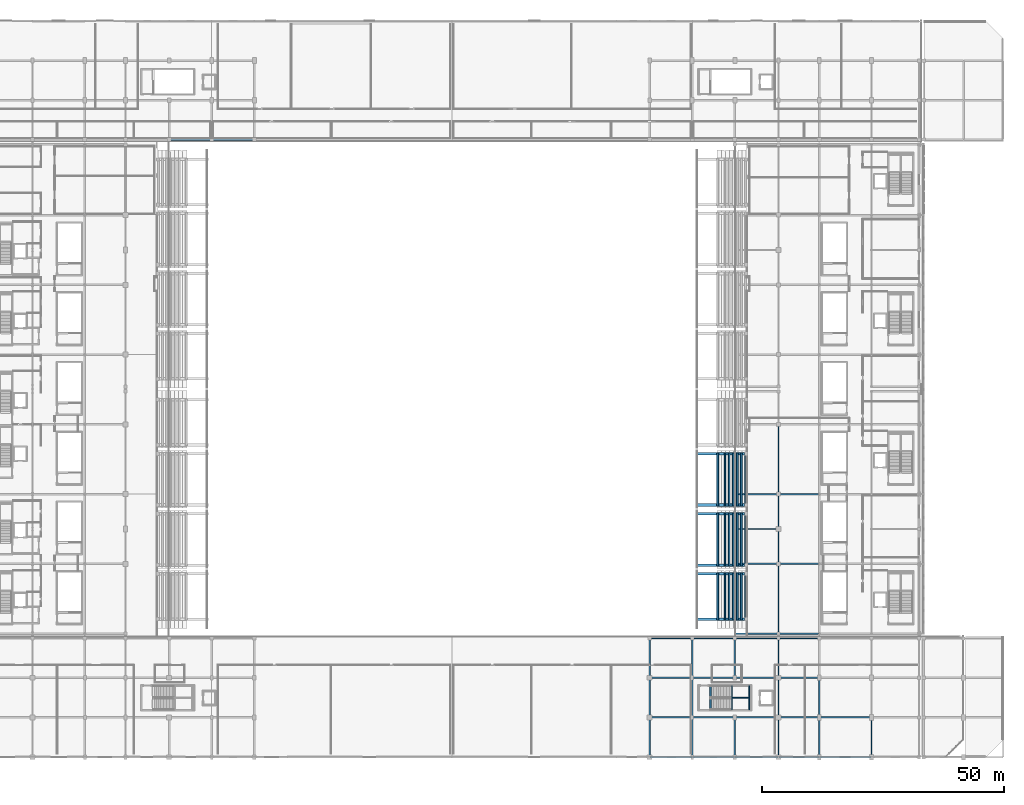
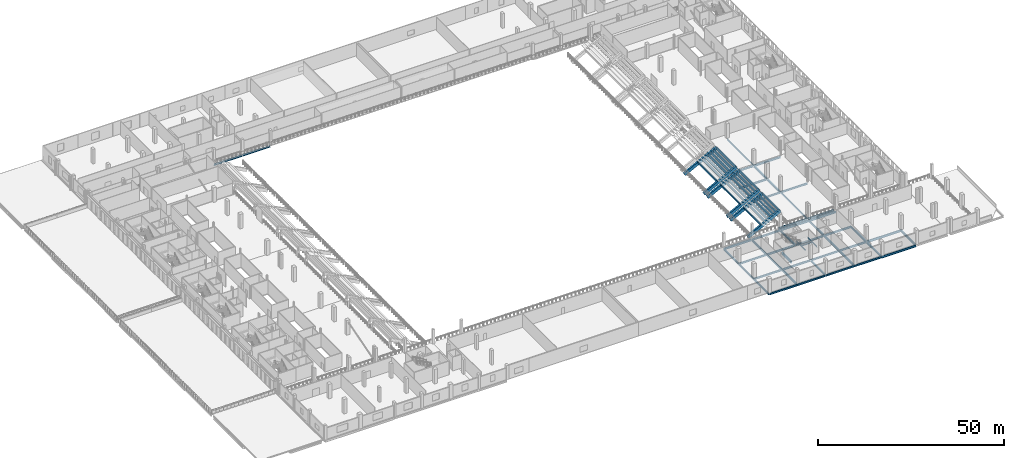
# One storey, part 17 of 74: 76 beams.
"""IFC4 building model written with IfcOpenShell, lengths in metres."""

from ifc_helpers import new_model, si_unit, direction, frame, origin, origin_2d, place, context, subcontext, project, spatial, rectangle, hollow_rectangle, i_section, extrude, material, material_profile, profile_set, type_object, element, save


model = new_model("IFC4")

# Units and contexts
model_context = context("Model", 3, precision=1e-05, world=origin(), true_north=direction((0.0, 1.0)))
body_context = subcontext(model_context, "Body", "Model", "MODEL_VIEW")
ifc_project = project(units=[si_unit("LENGTHUNIT", "METRE"), si_unit("AREAUNIT", "SQUARE_METRE"), si_unit("VOLUMEUNIT", "CUBIC_METRE"), si_unit("PLANEANGLEUNIT", "RADIAN"), si_unit("MASSUNIT", "GRAM", prefix="KILO")], contexts=[model_context])

# Site, building, storey
site_placement = place(None, origin())
site = spatial("IfcSite", under=ifc_project, at=site_placement, CompositionType="ELEMENT")
building_placement = place(site_placement, origin())
building = spatial("IfcBuilding", under=site, at=building_placement, Name="Koshinbarg Plaza Stadium", CompositionType="ELEMENT")
storey_placement = place(building_placement, frame((0.0, 0.0, 15.0)))
storey = spatial("IfcBuildingStorey", under=building, at=storey_placement, Name="L03", CompositionType="ELEMENT", Elevation=15.0)

# Beams
ifc_material_1 = material(Name="Concrete C40/50", Category="concrete")
ifc_material_profile_1 = material_profile(ifc_material_1, rectangle(XDim=0.550048828125, YDim=1.0, at=origin_2d()), Name="RC 550x1000")
ifc_profile_set_1 = profile_set([ifc_material_profile_1], Name="Concrete C40/50")
beam_type_1 = type_object("IfcBeamType", Name="BM-RAKER-UT", PredefinedType="USERDEFINED", material=ifc_profile_set_1)
for number, where, z_axis, x_axis, name in (
    (1, (172.5400390625, 28.5, -2.54296875), (0.888953125137, 0.0, 0.457998189198), (0.0, 1.0, 0.0), "Upper cantilevered bowl raker girder RAKER UT-E01-L"),
    (2, (172.5400390625, 37.85009765625, -2.54296875), (0.888953125137, 0.0, 0.457998189198), (0.0, 1.0, 0.0), "Upper cantilevered bowl raker girder RAKER UT-E01-R"),
    (3, (172.5400390625, 39.64990234375, -2.54296875), (0.888953125137, 0.0, 0.457998189198), (0.0, 1.0, 0.0), "Upper cantilevered bowl raker girder RAKER UT-E02-L"),
    (4, (172.5400390625, 50.25, -2.54296875), (0.888953125137, 0.0, 0.457998189198), (0.0, 1.0, 0.0), "Upper cantilevered bowl raker girder RAKER UT-E02-R"),
    (5, (172.5400390625, 52.050048828125, -2.54296875), (0.888953125137, 0.0, 0.457998189198), (0.0, 1.0, 0.0), "Upper cantilevered bowl raker girder RAKER UT-E03-L"),
    (6, (172.5400390625, 62.64990234375, -2.54296875), (0.888953125137, 0.0, 0.457998189198), (0.0, 1.0, 0.0), "Upper cantilevered bowl raker girder RAKER UT-E03-R"),
):
    element("IfcBeam", number, at=place(storey_placement, frame(where, z_axis=z_axis, x_axis=x_axis)), inside=storey, type_object=beam_type_1, Name=name, ObjectType="GIRDER", PredefinedType="USERDEFINED", context=body_context, shape_type="SweptSolid", body=[
        extrude(rectangle(XDim=0.550048828125, YDim=1.0, at=origin_2d()), origin(), (0.0, 0.0, 1.0), 11.384033203125),
    ])
ifc_material_profile_2 = material_profile(ifc_material_1, rectangle(XDim=0.35009765625, YDim=0.60009765625, at=origin_2d()), Name="RC 350x600")
ifc_profile_set_2 = profile_set([ifc_material_profile_2], Name="Concrete C40/50")
beam_type_2 = type_object("IfcBeamType", Name="BM-RCG-01", PredefinedType="SPANDREL", material=ifc_profile_set_2)
for number, where, z_axis, x_axis, name in (
    (7, (176.8701171875, 28.35009765625, -0.080078125), (0.0, 1.0, 0.0), (-1.0, 0.0, 0.0), "Upper tier seat bearer UT-E01-R06"),
    (8, (178.330078125, 28.35009765625, 0.360107421875), (0.0, 1.0, 0.0), (-1.0, 0.0, 0.0), "Upper tier seat bearer UT-E01-R07"),
    (9, (179.179931640625, 28.35009765625, 0.800048828125), (0.0, 1.0, 0.0), (-1.0, 0.0, 0.0), "Upper tier seat bearer UT-E01-R08"),
    (10, (180.030029296875, 28.35009765625, 1.239990234375), (0.0, 1.0, 0.0), (-1.0, 0.0, 0.0), "Upper tier seat bearer UT-E01-R09"),
    (11, (180.8798828125, 28.35009765625, 1.679931640625), (0.0, 1.0, 0.0), (-1.0, 0.0, 0.0), "Upper tier seat bearer UT-E01-R10"),
    (12, (181.72998046875, 28.35009765625, 2.1201171875), (0.0, 1.0, 0.0), (-1.0, 0.0, 0.0), "Upper tier seat bearer UT-E01-R11"),
    (13, (182.580078125, 28.35009765625, 2.56005859375), (0.0, 1.0, 0.0), (-1.0, 0.0, 0.0), "Upper tier seat bearer UT-E01-R12"),
):
    element("IfcBeam", number, at=place(storey_placement, frame(where, z_axis=z_axis, x_axis=x_axis)), inside=storey, type_object=beam_type_2, Name=name, PredefinedType="SPANDREL", context=body_context, shape_type="SweptSolid", body=[
        extrude(rectangle(XDim=0.35009765625, YDim=0.60009765625, at=origin_2d()), origin(), (0.0, 0.0, 1.0), 9.64990234375),
    ])
for number, where, z_axis, x_axis, name in (
    (14, (176.8701171875, 39.5, -0.080078125), (0.0, 1.0, 0.0), (-1.0, 0.0, 0.0), "Upper tier seat bearer UT-E02-R06"),
    (15, (178.330078125, 39.5, 0.360107421875), (0.0, 1.0, 0.0), (-1.0, 0.0, 0.0), "Upper tier seat bearer UT-E02-R07"),
    (16, (179.179931640625, 39.5, 0.800048828125), (0.0, 1.0, 0.0), (-1.0, 0.0, 0.0), "Upper tier seat bearer UT-E02-R08"),
    (17, (180.030029296875, 39.5, 1.239990234375), (0.0, 1.0, 0.0), (-1.0, 0.0, 0.0), "Upper tier seat bearer UT-E02-R09"),
    (18, (180.8798828125, 39.5, 1.679931640625), (0.0, 1.0, 0.0), (-1.0, 0.0, 0.0), "Upper tier seat bearer UT-E02-R10"),
    (19, (181.72998046875, 39.5, 2.1201171875), (0.0, 1.0, 0.0), (-1.0, 0.0, 0.0), "Upper tier seat bearer UT-E02-R11"),
    (20, (182.580078125, 39.5, 2.56005859375), (0.0, 1.0, 0.0), (-1.0, 0.0, 0.0), "Upper tier seat bearer UT-E02-R12"),
):
    element("IfcBeam", number, at=place(storey_placement, frame(where, z_axis=z_axis, x_axis=x_axis)), inside=storey, type_object=beam_type_2, Name=name, PredefinedType="SPANDREL", context=body_context, shape_type="SweptSolid", body=[
        extrude(rectangle(XDim=0.35009765625, YDim=0.60009765625, at=origin_2d()), origin(), (0.0, 0.0, 1.0), 10.89990234375),
    ])
for number, where, z_axis, x_axis, name in (
    (21, (176.8701171875, 51.89990234375, -0.080078125), (0.0, 1.0, 0.0), (-1.0, 0.0, 0.0), "Upper tier seat bearer UT-E03-R06"),
    (22, (178.330078125, 51.89990234375, 0.360107421875), (0.0, 1.0, 0.0), (-1.0, 0.0, 0.0), "Upper tier seat bearer UT-E03-R07"),
    (23, (179.179931640625, 51.89990234375, 0.800048828125), (0.0, 1.0, 0.0), (-1.0, 0.0, 0.0), "Upper tier seat bearer UT-E03-R08"),
    (24, (180.030029296875, 51.89990234375, 1.239990234375), (0.0, 1.0, 0.0), (-1.0, 0.0, 0.0), "Upper tier seat bearer UT-E03-R09"),
    (25, (180.8798828125, 51.89990234375, 1.679931640625), (0.0, 1.0, 0.0), (-1.0, 0.0, 0.0), "Upper tier seat bearer UT-E03-R10"),
    (26, (181.72998046875, 51.89990234375, 2.1201171875), (0.0, 1.0, 0.0), (-1.0, 0.0, 0.0), "Upper tier seat bearer UT-E03-R11"),
    (27, (182.580078125, 51.89990234375, 2.56005859375), (0.0, 1.0, 0.0), (-1.0, 0.0, 0.0), "Upper tier seat bearer UT-E03-R12"),
):
    element("IfcBeam", number, at=place(storey_placement, frame(where, z_axis=z_axis, x_axis=x_axis)), inside=storey, type_object=beam_type_2, Name=name, PredefinedType="SPANDREL", context=body_context, shape_type="SweptSolid", body=[
        extrude(rectangle(XDim=0.35009765625, YDim=0.60009765625, at=origin_2d()), origin(), (0.0, 0.0, 1.0), 10.900146484375),
    ])
ifc_material_profile_3 = material_profile(ifc_material_1, rectangle(XDim=0.39990234375, YDim=0.75, at=origin_2d()), Name="RC 400x750")
ifc_profile_set_3 = profile_set([ifc_material_profile_3], Name="Concrete C40/50")
beam_type_3 = type_object("IfcBeamType", Name="BM-RCG-03", PredefinedType="USERDEFINED", material=ifc_profile_set_3)
beam_1_placement = place(storey_placement, frame((175.360107421875, 9.75, -0.375), z_axis=(0.0, 1.0, 0.0), x_axis=(-1.0, 0.0, 0.0)))
element("IfcBeam", 28, at=beam_1_placement, inside=storey, type_object=beam_type_3, Name="L03 stair landing header beam C14", ObjectType="GIRDER", PredefinedType="USERDEFINED", context=body_context, shape_type="SweptSolid", body=[
    extrude(rectangle(XDim=0.39990234375, YDim=0.75, at=origin_2d()), origin(), (0.0, 0.0, 1.0), 4.969970703125),
])
ifc_material_2 = material(Name="Steel S355", Category="steel")
ifc_material_profile_4 = material_profile(ifc_material_2, i_section(OverallWidth=0.179931640625, OverallDepth=0.39990234375, WebThickness=0.008544921875, FlangeThickness=0.013427734375, at=origin_2d()), Name="IPE 400")
ifc_profile_set_4 = profile_set([ifc_material_profile_4], Name="Steel S355")
beam_type_4 = type_object("IfcBeamType", Name="BM-SBM-01", PredefinedType="BEAM", material=ifc_profile_set_4)
for number, where, z_axis, x_axis, name in (
    (29, (179.81005859375, 9.75, 1.8798828125), (0.0, 1.0, 0.0), (-1.0, 0.0, 0.0), "L03 Protected Exit Stair C14 landing trimmer beam 1"),
    (30, (183.35009765625, 9.75, 1.8798828125), (0.0, 1.0, 0.0), (-1.0, 0.0, 0.0), "L03 Protected Exit Stair C14 landing trimmer beam 2"),
):
    element("IfcBeam", number, at=place(storey_placement, frame(where, z_axis=z_axis, x_axis=x_axis)), inside=storey, type_object=beam_type_4, Name=name, PredefinedType="BEAM", context=body_context, shape_type="SweptSolid", body=[
        extrude(i_section(OverallWidth=0.179931640625, OverallDepth=0.39990234375, WebThickness=0.008544921875, FlangeThickness=0.013427734375, at=origin_2d()), origin(), (0.0, 0.0, 1.0), 4.969970703125),
    ])
beam_2_placement = place(storey_placement, frame((179.81005859375, 12.235107421875, 1.8798828125), z_axis=(1.0, 0.0, 0.0), x_axis=(0.0, 1.0, 0.0)))
element("IfcBeam", 31, at=beam_2_placement, inside=storey, type_object=beam_type_4, Name="L03 Protected Exit Stair C14 landing trimmer beam 3", PredefinedType="BEAM", context=body_context, shape_type="SweptSolid", body=[
    extrude(i_section(OverallWidth=0.179931640625, OverallDepth=0.39990234375, WebThickness=0.008544921875, FlangeThickness=0.013427734375, at=origin_2d()), origin(), (0.0, 0.0, 1.0), 3.5400390625),
])
ifc_material_profile_5 = material_profile(ifc_material_2, i_section(OverallWidth=0.300048828125, OverallDepth=0.60009765625, WebThickness=0.015380859375, FlangeThickness=0.030029296875, at=origin_2d()), Name="HEB 600")
ifc_profile_set_5 = profile_set([ifc_material_profile_5], Name="Steel S355")
beam_type_5 = type_object("IfcBeamType", Name="BM-SGIR-02", PredefinedType="USERDEFINED", material=ifc_profile_set_5)
beam_3_placement = place(storey_placement, frame((162.860107421875, 0.0, -0.6201171875), z_axis=(1.0, 0.0, 0.0), x_axis=(0.0, 1.0, 0.0)))
element("IfcBeam", 32, at=beam_3_placement, inside=storey, type_object=beam_type_5, Name="L03 X girder A/15-16", ObjectType="GIRDER", PredefinedType="USERDEFINED", context=body_context, shape_type="SweptSolid", body=[
    extrude(i_section(OverallWidth=0.300048828125, OverallDepth=0.60009765625, WebThickness=0.015380859375, FlangeThickness=0.030029296875, at=origin_2d()), origin(), (0.0, 0.0, 1.0), 8.679931640625),
])
beam_4_placement = place(storey_placement, frame((171.659912109375, 0.0, -0.6201171875), z_axis=(1.0, 0.0, 0.0), x_axis=(0.0, 1.0, 0.0)))
element("IfcBeam", 33, at=beam_4_placement, inside=storey, type_object=beam_type_5, Name="L03 X girder A/16-17", ObjectType="GIRDER", PredefinedType="USERDEFINED", context=body_context, shape_type="SweptSolid", body=[
    extrude(i_section(OverallWidth=0.300048828125, OverallDepth=0.60009765625, WebThickness=0.015380859375, FlangeThickness=0.030029296875, at=origin_2d()), origin(), (0.0, 0.0, 1.0), 8.68017578125),
])
beam_5_placement = place(storey_placement, frame((180.4599609375, 0.0, -0.6201171875), z_axis=(1.0, 0.0, 0.0), x_axis=(0.0, 1.0, 0.0)))
element("IfcBeam", 34, at=beam_5_placement, inside=storey, type_object=beam_type_5, Name="L03 X girder A/17-18", ObjectType="GIRDER", PredefinedType="USERDEFINED", context=body_context, shape_type="SweptSolid", body=[
    extrude(i_section(OverallWidth=0.300048828125, OverallDepth=0.60009765625, WebThickness=0.015380859375, FlangeThickness=0.030029296875, at=origin_2d()), origin(), (0.0, 0.0, 1.0), 8.880126953125),
])
beam_6_placement = place(storey_placement, frame((189.4599609375, 0.0, -0.6201171875), z_axis=(1.0, 0.0, 0.0), x_axis=(0.0, 1.0, 0.0)))
element("IfcBeam", 35, at=beam_6_placement, inside=storey, type_object=beam_type_5, Name="L03 X girder A/18-19", ObjectType="GIRDER", PredefinedType="USERDEFINED", context=body_context, shape_type="SweptSolid", body=[
    extrude(i_section(OverallWidth=0.300048828125, OverallDepth=0.60009765625, WebThickness=0.015380859375, FlangeThickness=0.030029296875, at=origin_2d()), origin(), (0.0, 0.0, 1.0), 8.280029296875),
])
beam_7_placement = place(storey_placement, frame((162.860107421875, 8.199951171875, -0.6201171875), z_axis=(1.0, 0.0, 0.0), x_axis=(0.0, 1.0, 0.0)))
element("IfcBeam", 36, at=beam_7_placement, inside=storey, type_object=beam_type_5, Name="L03 X girder B/15-16", ObjectType="GIRDER", PredefinedType="USERDEFINED", context=body_context, shape_type="SweptSolid", body=[
    extrude(i_section(OverallWidth=0.300048828125, OverallDepth=0.60009765625, WebThickness=0.015380859375, FlangeThickness=0.030029296875, at=origin_2d()), origin(), (0.0, 0.0, 1.0), 8.679931640625),
])
beam_8_placement = place(storey_placement, frame((171.659912109375, 8.199951171875, -0.6201171875), z_axis=(1.0, 0.0, 0.0), x_axis=(0.0, 1.0, 0.0)))
element("IfcBeam", 37, at=beam_8_placement, inside=storey, type_object=beam_type_5, Name="L03 X girder B/16-17", ObjectType="GIRDER", PredefinedType="USERDEFINED", context=body_context, shape_type="SweptSolid", body=[
    extrude(i_section(OverallWidth=0.300048828125, OverallDepth=0.60009765625, WebThickness=0.015380859375, FlangeThickness=0.030029296875, at=origin_2d()), origin(), (0.0, 0.0, 1.0), 8.68017578125),
])
beam_9_placement = place(storey_placement, frame((180.4599609375, 8.199951171875, -0.6201171875), z_axis=(1.0, 0.0, 0.0), x_axis=(0.0, 1.0, 0.0)))
element("IfcBeam", 38, at=beam_9_placement, inside=storey, type_object=beam_type_5, Name="L03 X girder B/17-18", ObjectType="GIRDER", PredefinedType="USERDEFINED", context=body_context, shape_type="SweptSolid", body=[
    extrude(i_section(OverallWidth=0.300048828125, OverallDepth=0.60009765625, WebThickness=0.015380859375, FlangeThickness=0.030029296875, at=origin_2d()), origin(), (0.0, 0.0, 1.0), 8.880126953125),
])
beam_10_placement = place(storey_placement, frame((189.4599609375, 8.199951171875, -0.6201171875), z_axis=(1.0, 0.0, 0.0), x_axis=(0.0, 1.0, 0.0)))
element("IfcBeam", 39, at=beam_10_placement, inside=storey, type_object=beam_type_5, Name="L03 X girder B/18-19", ObjectType="GIRDER", PredefinedType="USERDEFINED", context=body_context, shape_type="SweptSolid", body=[
    extrude(i_section(OverallWidth=0.300048828125, OverallDepth=0.60009765625, WebThickness=0.015380859375, FlangeThickness=0.030029296875, at=origin_2d()), origin(), (0.0, 0.0, 1.0), 8.280029296875),
])
beam_11_placement = place(storey_placement, frame((162.860107421875, 16.39990234375, -0.6201171875), z_axis=(1.0, 0.0, 0.0), x_axis=(0.0, 1.0, 0.0)))
element("IfcBeam", 40, at=beam_11_placement, inside=storey, type_object=beam_type_5, Name="L03 X girder C/15-16", ObjectType="GIRDER", PredefinedType="USERDEFINED", context=body_context, shape_type="SweptSolid", body=[
    extrude(i_section(OverallWidth=0.300048828125, OverallDepth=0.60009765625, WebThickness=0.015380859375, FlangeThickness=0.030029296875, at=origin_2d()), origin(), (0.0, 0.0, 1.0), 8.679931640625),
])
beam_12_placement = place(storey_placement, frame((171.659912109375, 16.39990234375, -0.6201171875), z_axis=(1.0, 0.0, 0.0), x_axis=(0.0, 1.0, 0.0)))
element("IfcBeam", 41, at=beam_12_placement, inside=storey, type_object=beam_type_5, Name="L03 X girder C/16-17", ObjectType="GIRDER", PredefinedType="USERDEFINED", context=body_context, shape_type="SweptSolid", body=[
    extrude(i_section(OverallWidth=0.300048828125, OverallDepth=0.60009765625, WebThickness=0.015380859375, FlangeThickness=0.030029296875, at=origin_2d()), origin(), (0.0, 0.0, 1.0), 8.68017578125),
])
beam_13_placement = place(storey_placement, frame((180.4599609375, 16.39990234375, -0.6201171875), z_axis=(1.0, 0.0, 0.0), x_axis=(0.0, 1.0, 0.0)))
element("IfcBeam", 42, at=beam_13_placement, inside=storey, type_object=beam_type_5, Name="L03 X girder C/17-18", ObjectType="GIRDER", PredefinedType="USERDEFINED", context=body_context, shape_type="SweptSolid", body=[
    extrude(i_section(OverallWidth=0.300048828125, OverallDepth=0.60009765625, WebThickness=0.015380859375, FlangeThickness=0.030029296875, at=origin_2d()), origin(), (0.0, 0.0, 1.0), 8.880126953125),
])
beam_14_placement = place(storey_placement, frame((189.4599609375, 16.39990234375, -0.6201171875), z_axis=(1.0, 0.0, 0.0), x_axis=(0.0, 1.0, 0.0)))
element("IfcBeam", 43, at=beam_14_placement, inside=storey, type_object=beam_type_5, Name="L03 X girder C/18-19", ObjectType="GIRDER", PredefinedType="USERDEFINED", context=body_context, shape_type="SweptSolid", body=[
    extrude(i_section(OverallWidth=0.300048828125, OverallDepth=0.60009765625, WebThickness=0.015380859375, FlangeThickness=0.030029296875, at=origin_2d()), origin(), (0.0, 0.0, 1.0), 8.280029296875),
])
beam_15_placement = place(storey_placement, frame((162.860107421875, 24.5, -0.6201171875), z_axis=(1.0, 0.0, 0.0), x_axis=(0.0, 1.0, 0.0)))
element("IfcBeam", 44, at=beam_15_placement, inside=storey, type_object=beam_type_5, Name="L03 X girder D/15-16", ObjectType="GIRDER", PredefinedType="USERDEFINED", context=body_context, shape_type="SweptSolid", body=[
    extrude(i_section(OverallWidth=0.300048828125, OverallDepth=0.60009765625, WebThickness=0.015380859375, FlangeThickness=0.030029296875, at=origin_2d()), origin(), (0.0, 0.0, 1.0), 8.679931640625),
])
beam_16_placement = place(storey_placement, frame((171.659912109375, 24.5, -0.6201171875), z_axis=(1.0, 0.0, 0.0), x_axis=(0.0, 1.0, 0.0)))
element("IfcBeam", 45, at=beam_16_placement, inside=storey, type_object=beam_type_5, Name="L03 X girder D/16-17", ObjectType="GIRDER", PredefinedType="USERDEFINED", context=body_context, shape_type="SweptSolid", body=[
    extrude(i_section(OverallWidth=0.300048828125, OverallDepth=0.60009765625, WebThickness=0.015380859375, FlangeThickness=0.030029296875, at=origin_2d()), origin(), (0.0, 0.0, 1.0), 8.68017578125),
])
beam_17_placement = place(storey_placement, frame((180.4599609375, 24.5, -0.6201171875), z_axis=(1.0, 0.0, 0.0), x_axis=(0.0, 1.0, 0.0)))
element("IfcBeam", 46, at=beam_17_placement, inside=storey, type_object=beam_type_5, Name="L03 X girder D/17-18", ObjectType="GIRDER", PredefinedType="USERDEFINED", context=body_context, shape_type="SweptSolid", body=[
    extrude(i_section(OverallWidth=0.300048828125, OverallDepth=0.60009765625, WebThickness=0.015380859375, FlangeThickness=0.030029296875, at=origin_2d()), origin(), (0.0, 0.0, 1.0), 8.880126953125),
])
beam_18_placement = place(storey_placement, frame((189.4599609375, 24.5, -0.6201171875), z_axis=(1.0, 0.0, 0.0), x_axis=(0.0, 1.0, 0.0)))
element("IfcBeam", 47, at=beam_18_placement, inside=storey, type_object=beam_type_5, Name="L03 X girder D/18-19", ObjectType="GIRDER", PredefinedType="USERDEFINED", context=body_context, shape_type="SweptSolid", body=[
    extrude(i_section(OverallWidth=0.300048828125, OverallDepth=0.60009765625, WebThickness=0.015380859375, FlangeThickness=0.030029296875, at=origin_2d()), origin(), (0.0, 0.0, 1.0), 8.280029296875),
])
beam_19_placement = place(storey_placement, frame((180.4599609375, 25.5, -0.6201171875), z_axis=(1.0, 0.0, 0.0), x_axis=(0.0, 1.0, 0.0)))
element("IfcBeam", 48, at=beam_19_placement, inside=storey, type_object=beam_type_5, Name="L03 X girder E/17-18", ObjectType="GIRDER", PredefinedType="USERDEFINED", context=body_context, shape_type="SweptSolid", body=[
    extrude(i_section(OverallWidth=0.300048828125, OverallDepth=0.60009765625, WebThickness=0.015380859375, FlangeThickness=0.030029296875, at=origin_2d()), origin(), (0.0, 0.0, 1.0), 8.880126953125),
])
beam_20_placement = place(storey_placement, frame((189.4599609375, 25.5, -0.6201171875), z_axis=(1.0, 0.0, 0.0), x_axis=(0.0, 1.0, 0.0)))
element("IfcBeam", 49, at=beam_20_placement, inside=storey, type_object=beam_type_5, Name="L03 X girder E/18-19", ObjectType="GIRDER", PredefinedType="USERDEFINED", context=body_context, shape_type="SweptSolid", body=[
    extrude(i_section(OverallWidth=0.300048828125, OverallDepth=0.60009765625, WebThickness=0.015380859375, FlangeThickness=0.030029296875, at=origin_2d()), origin(), (0.0, 0.0, 1.0), 8.280029296875),
])
beam_21_placement = place(storey_placement, frame((180.4599609375, 39.89990234375, -0.6201171875), z_axis=(1.0, 0.0, 0.0), x_axis=(0.0, 1.0, 0.0)))
element("IfcBeam", 50, at=beam_21_placement, inside=storey, type_object=beam_type_5, Name="L03 X girder F/17-18", ObjectType="GIRDER", PredefinedType="USERDEFINED", context=body_context, shape_type="SweptSolid", body=[
    extrude(i_section(OverallWidth=0.300048828125, OverallDepth=0.60009765625, WebThickness=0.015380859375, FlangeThickness=0.030029296875, at=origin_2d()), origin(), (0.0, 0.0, 1.0), 8.880126953125),
])
beam_22_placement = place(storey_placement, frame((189.4599609375, 39.89990234375, -0.6201171875), z_axis=(1.0, 0.0, 0.0), x_axis=(0.0, 1.0, 0.0)))
element("IfcBeam", 51, at=beam_22_placement, inside=storey, type_object=beam_type_5, Name="L03 X girder F/18-19", ObjectType="GIRDER", PredefinedType="USERDEFINED", context=body_context, shape_type="SweptSolid", body=[
    extrude(i_section(OverallWidth=0.300048828125, OverallDepth=0.60009765625, WebThickness=0.015380859375, FlangeThickness=0.030029296875, at=origin_2d()), origin(), (0.0, 0.0, 1.0), 8.280029296875),
])
for number, where, z_axis, x_axis, name in (
    (52, (180.4599609375, 47.10009765625, -0.6201171875), (1.0, 0.0, 0.0), (0.0, 1.0, 0.0), "L03 X girder G/17-18"),
    (53, (180.4599609375, 54.300048828125, -0.6201171875), (1.0, 0.0, 0.0), (0.0, 1.0, 0.0), "L03 X girder H/17-18"),
):
    element("IfcBeam", number, at=place(storey_placement, frame(where, z_axis=z_axis, x_axis=x_axis)), inside=storey, type_object=beam_type_5, Name=name, ObjectType="GIRDER", PredefinedType="USERDEFINED", context=body_context, shape_type="SweptSolid", body=[
        extrude(i_section(OverallWidth=0.300048828125, OverallDepth=0.60009765625, WebThickness=0.015380859375, FlangeThickness=0.030029296875, at=origin_2d()), origin(), (0.0, 0.0, 1.0), 8.880126953125),
    ])
beam_23_placement = place(storey_placement, frame((189.4599609375, 54.300048828125, -0.6201171875), z_axis=(1.0, 0.0, 0.0), x_axis=(0.0, 1.0, 0.0)))
element("IfcBeam", 54, at=beam_23_placement, inside=storey, type_object=beam_type_5, Name="L03 X girder H/18-19", ObjectType="GIRDER", PredefinedType="USERDEFINED", context=body_context, shape_type="SweptSolid", body=[
    extrude(i_section(OverallWidth=0.300048828125, OverallDepth=0.60009765625, WebThickness=0.015380859375, FlangeThickness=0.030029296875, at=origin_2d()), origin(), (0.0, 0.0, 1.0), 8.280029296875),
])
beam_24_placement = place(storey_placement, frame((63.659912109375, 127.5, -0.6201171875), z_axis=(1.0, 0.0, 0.0), x_axis=(0.0, 1.0, 0.0)))
element("IfcBeam", 55, at=beam_24_placement, inside=storey, type_object=beam_type_5, Name="L03 X girder S/9-10", ObjectType="GIRDER", PredefinedType="USERDEFINED", context=body_context, shape_type="SweptSolid", body=[
    extrude(i_section(OverallWidth=0.300048828125, OverallDepth=0.60009765625, WebThickness=0.015380859375, FlangeThickness=0.030029296875, at=origin_2d()), origin(), (0.0, 0.0, 1.0), 8.68017578125),
])
beam_25_placement = place(storey_placement, frame((72.4599609375, 127.5, -0.6201171875), z_axis=(1.0, 0.0, 0.0), x_axis=(0.0, 1.0, 0.0)))
element("IfcBeam", 56, at=beam_25_placement, inside=storey, type_object=beam_type_5, Name="L03 X girder S/10-11", ObjectType="GIRDER", PredefinedType="USERDEFINED", context=body_context, shape_type="SweptSolid", body=[
    extrude(i_section(OverallWidth=0.300048828125, OverallDepth=0.60009765625, WebThickness=0.015380859375, FlangeThickness=0.030029296875, at=origin_2d()), origin(), (0.0, 0.0, 1.0), 8.679931640625),
])
beam_26_placement = place(storey_placement, frame((162.800048828125, 0.06005859375, -0.6201171875), z_axis=(0.0, 1.0, 0.0), x_axis=(-1.0, 0.0, 0.0)))
element("IfcBeam", 57, at=beam_26_placement, inside=storey, type_object=beam_type_5, Name="L03 Y girder 15/A-B", ObjectType="GIRDER", PredefinedType="USERDEFINED", context=body_context, shape_type="SweptSolid", body=[
    extrude(i_section(OverallWidth=0.300048828125, OverallDepth=0.60009765625, WebThickness=0.015380859375, FlangeThickness=0.030029296875, at=origin_2d()), origin(), (0.0, 0.0, 1.0), 8.079833984375),
])
beam_27_placement = place(storey_placement, frame((162.800048828125, 8.260009765625, -0.6201171875), z_axis=(0.0, 1.0, 0.0), x_axis=(-1.0, 0.0, 0.0)))
element("IfcBeam", 58, at=beam_27_placement, inside=storey, type_object=beam_type_5, Name="L03 Y girder 15/B-C", ObjectType="GIRDER", PredefinedType="USERDEFINED", context=body_context, shape_type="SweptSolid", body=[
    extrude(i_section(OverallWidth=0.300048828125, OverallDepth=0.60009765625, WebThickness=0.015380859375, FlangeThickness=0.030029296875, at=origin_2d()), origin(), (0.0, 0.0, 1.0), 8.080078125),
])
beam_28_placement = place(storey_placement, frame((162.800048828125, 16.4599609375, -0.6201171875), z_axis=(0.0, 1.0, 0.0), x_axis=(-1.0, 0.0, 0.0)))
element("IfcBeam", 59, at=beam_28_placement, inside=storey, type_object=beam_type_5, Name="L03 Y girder 15/C-D", ObjectType="GIRDER", PredefinedType="USERDEFINED", context=body_context, shape_type="SweptSolid", body=[
    extrude(i_section(OverallWidth=0.300048828125, OverallDepth=0.60009765625, WebThickness=0.015380859375, FlangeThickness=0.030029296875, at=origin_2d()), origin(), (0.0, 0.0, 1.0), 7.97998046875),
])
beam_29_placement = place(storey_placement, frame((180.39990234375, 0.06005859375, -0.6201171875), z_axis=(0.0, 1.0, 0.0), x_axis=(-1.0, 0.0, 0.0)))
element("IfcBeam", 60, at=beam_29_placement, inside=storey, type_object=beam_type_5, Name="L03 Y girder 17/A-B", ObjectType="GIRDER", PredefinedType="USERDEFINED", context=body_context, shape_type="SweptSolid", body=[
    extrude(i_section(OverallWidth=0.300048828125, OverallDepth=0.60009765625, WebThickness=0.015380859375, FlangeThickness=0.030029296875, at=origin_2d()), origin(), (0.0, 0.0, 1.0), 8.079833984375),
])
beam_30_placement = place(storey_placement, frame((180.39990234375, 16.4599609375, -0.6201171875), z_axis=(0.0, 1.0, 0.0), x_axis=(-1.0, 0.0, 0.0)))
element("IfcBeam", 61, at=beam_30_placement, inside=storey, type_object=beam_type_5, Name="L03 Y girder 17/C-D", ObjectType="GIRDER", PredefinedType="USERDEFINED", context=body_context, shape_type="SweptSolid", body=[
    extrude(i_section(OverallWidth=0.300048828125, OverallDepth=0.60009765625, WebThickness=0.015380859375, FlangeThickness=0.030029296875, at=origin_2d()), origin(), (0.0, 0.0, 1.0), 7.97998046875),
])
beam_31_placement = place(storey_placement, frame((197.800048828125, 0.06005859375, -0.6201171875), z_axis=(0.0, 1.0, 0.0), x_axis=(-1.0, 0.0, 0.0)))
element("IfcBeam", 62, at=beam_31_placement, inside=storey, type_object=beam_type_5, Name="L03 Y girder 19/A-B", ObjectType="GIRDER", PredefinedType="USERDEFINED", context=body_context, shape_type="SweptSolid", body=[
    extrude(i_section(OverallWidth=0.300048828125, OverallDepth=0.60009765625, WebThickness=0.015380859375, FlangeThickness=0.030029296875, at=origin_2d()), origin(), (0.0, 0.0, 1.0), 8.079833984375),
])
beam_32_placement = place(storey_placement, frame((197.800048828125, 8.260009765625, -0.6201171875), z_axis=(0.0, 1.0, 0.0), x_axis=(-1.0, 0.0, 0.0)))
element("IfcBeam", 63, at=beam_32_placement, inside=storey, type_object=beam_type_5, Name="L03 Y girder 19/B-C", ObjectType="GIRDER", PredefinedType="USERDEFINED", context=body_context, shape_type="SweptSolid", body=[
    extrude(i_section(OverallWidth=0.300048828125, OverallDepth=0.60009765625, WebThickness=0.015380859375, FlangeThickness=0.030029296875, at=origin_2d()), origin(), (0.0, 0.0, 1.0), 8.080078125),
])
ifc_material_profile_6 = material_profile(ifc_material_2, i_section(OverallWidth=0.300048828125, OverallDepth=0.699951171875, WebThickness=0.01708984375, FlangeThickness=0.031982421875, at=origin_2d()), Name="HEB 700")
ifc_profile_set_6 = profile_set([ifc_material_profile_6], Name="Steel S355")
beam_type_6 = type_object("IfcBeamType", Name="BM-SGIR-03", PredefinedType="USERDEFINED", material=ifc_profile_set_6)
for number, where, z_axis, x_axis, name in (
    (64, (197.860107421875, 0.0, -0.669921875), (1.0, 0.0, 0.0), (0.0, 1.0, 0.0), "L03 X girder A/19-20"),
    (65, (197.860107421875, 8.199951171875, -0.669921875), (1.0, 0.0, 0.0), (0.0, 1.0, 0.0), "L03 X girder B/19-20"),
):
    element("IfcBeam", number, at=place(storey_placement, frame(where, z_axis=z_axis, x_axis=x_axis)), inside=storey, type_object=beam_type_6, Name=name, ObjectType="GIRDER", PredefinedType="USERDEFINED", context=body_context, shape_type="SweptSolid", body=[
        extrude(i_section(OverallWidth=0.300048828125, OverallDepth=0.699951171875, WebThickness=0.01708984375, FlangeThickness=0.031982421875, at=origin_2d()), origin(), (0.0, 0.0, 1.0), 10.679931640625),
    ])
beam_33_placement = place(storey_placement, frame((171.60009765625, 0.06005859375, -0.669921875), z_axis=(0.0, 1.0, 0.0), x_axis=(-1.0, 0.0, 0.0)))
element("IfcBeam", 66, at=beam_33_placement, inside=storey, type_object=beam_type_6, Name="L03 Y girder 16/A-B", ObjectType="GIRDER", PredefinedType="USERDEFINED", context=body_context, shape_type="SweptSolid", body=[
    extrude(i_section(OverallWidth=0.300048828125, OverallDepth=0.699951171875, WebThickness=0.01708984375, FlangeThickness=0.031982421875, at=origin_2d()), origin(), (0.0, 0.0, 1.0), 8.079833984375),
])
beam_34_placement = place(storey_placement, frame((171.60009765625, 8.260009765625, -0.669921875), z_axis=(0.0, 1.0, 0.0), x_axis=(-1.0, 0.0, 0.0)))
element("IfcBeam", 67, at=beam_34_placement, inside=storey, type_object=beam_type_6, Name="L03 Y girder 16/B-C", ObjectType="GIRDER", PredefinedType="USERDEFINED", context=body_context, shape_type="SweptSolid", body=[
    extrude(i_section(OverallWidth=0.300048828125, OverallDepth=0.699951171875, WebThickness=0.01708984375, FlangeThickness=0.031982421875, at=origin_2d()), origin(), (0.0, 0.0, 1.0), 8.080078125),
])
beam_35_placement = place(storey_placement, frame((171.60009765625, 16.4599609375, -0.669921875), z_axis=(0.0, 1.0, 0.0), x_axis=(-1.0, 0.0, 0.0)))
element("IfcBeam", 68, at=beam_35_placement, inside=storey, type_object=beam_type_6, Name="L03 Y girder 16/C-D", ObjectType="GIRDER", PredefinedType="USERDEFINED", context=body_context, shape_type="SweptSolid", body=[
    extrude(i_section(OverallWidth=0.300048828125, OverallDepth=0.699951171875, WebThickness=0.01708984375, FlangeThickness=0.031982421875, at=origin_2d()), origin(), (0.0, 0.0, 1.0), 7.97998046875),
])
beam_36_placement = place(storey_placement, frame((189.39990234375, 0.06005859375, -0.669921875), z_axis=(0.0, 1.0, 0.0), x_axis=(-1.0, 0.0, 0.0)))
element("IfcBeam", 69, at=beam_36_placement, inside=storey, type_object=beam_type_6, Name="L03 Y girder 18/A-B", ObjectType="GIRDER", PredefinedType="USERDEFINED", context=body_context, shape_type="SweptSolid", body=[
    extrude(i_section(OverallWidth=0.300048828125, OverallDepth=0.699951171875, WebThickness=0.01708984375, FlangeThickness=0.031982421875, at=origin_2d()), origin(), (0.0, 0.0, 1.0), 8.079833984375),
])
beam_37_placement = place(storey_placement, frame((189.39990234375, 8.260009765625, -0.669921875), z_axis=(0.0, 1.0, 0.0), x_axis=(-1.0, 0.0, 0.0)))
element("IfcBeam", 70, at=beam_37_placement, inside=storey, type_object=beam_type_6, Name="L03 Y girder 18/B-C", ObjectType="GIRDER", PredefinedType="USERDEFINED", context=body_context, shape_type="SweptSolid", body=[
    extrude(i_section(OverallWidth=0.300048828125, OverallDepth=0.699951171875, WebThickness=0.01708984375, FlangeThickness=0.031982421875, at=origin_2d()), origin(), (0.0, 0.0, 1.0), 8.080078125),
])
beam_38_placement = place(storey_placement, frame((189.39990234375, 16.4599609375, -0.669921875), z_axis=(0.0, 1.0, 0.0), x_axis=(-1.0, 0.0, 0.0)))
element("IfcBeam", 71, at=beam_38_placement, inside=storey, type_object=beam_type_6, Name="L03 Y girder 18/C-D", ObjectType="GIRDER", PredefinedType="USERDEFINED", context=body_context, shape_type="SweptSolid", body=[
    extrude(i_section(OverallWidth=0.300048828125, OverallDepth=0.699951171875, WebThickness=0.01708984375, FlangeThickness=0.031982421875, at=origin_2d()), origin(), (0.0, 0.0, 1.0), 7.97998046875),
])
for number, where, z_axis, x_axis, name in (
    (72, (189.39990234375, 39.9599609375, -0.669921875), (0.0, 1.0, 0.0), (-1.0, 0.0, 0.0), "L03 Y girder 18/F-G"),
    (73, (189.39990234375, 47.159912109375, -0.669921875), (0.0, 1.0, 0.0), (-1.0, 0.0, 0.0), "L03 Y girder 18/G-H"),
):
    element("IfcBeam", number, at=place(storey_placement, frame(where, z_axis=z_axis, x_axis=x_axis)), inside=storey, type_object=beam_type_6, Name=name, ObjectType="GIRDER", PredefinedType="USERDEFINED", context=body_context, shape_type="SweptSolid", body=[
        extrude(i_section(OverallWidth=0.300048828125, OverallDepth=0.699951171875, WebThickness=0.01708984375, FlangeThickness=0.031982421875, at=origin_2d()), origin(), (0.0, 0.0, 1.0), 7.080078125),
    ])
beam_39_placement = place(storey_placement, frame((208.60009765625, 0.06005859375, -0.669921875), z_axis=(0.0, 1.0, 0.0), x_axis=(-1.0, 0.0, 0.0)))
element("IfcBeam", 74, at=beam_39_placement, inside=storey, type_object=beam_type_6, Name="L03 Y girder 20/A-B", ObjectType="GIRDER", PredefinedType="USERDEFINED", context=body_context, shape_type="SweptSolid", body=[
    extrude(i_section(OverallWidth=0.300048828125, OverallDepth=0.699951171875, WebThickness=0.01708984375, FlangeThickness=0.031982421875, at=origin_2d()), origin(), (0.0, 0.0, 1.0), 8.079833984375),
])
ifc_material_profile_7 = material_profile(ifc_material_2, hollow_rectangle(XDim=0.25, YDim=0.449951171875, WallThickness=0.01611328125, at=origin_2d()), Name="RHS 450x250x16")
ifc_profile_set_7 = profile_set([ifc_material_profile_7], Name="Steel S355")
beam_type_7 = type_object("IfcBeamType", Name="BM-SGIR-06", PredefinedType="USERDEFINED", material=ifc_profile_set_7)
beam_40_placement = place(storey_placement, frame((189.39990234375, 25.56005859375, -0.544921875), z_axis=(0.0, 1.0, 0.0), x_axis=(-1.0, 0.0, 0.0)))
element("IfcBeam", 75, at=beam_40_placement, inside=storey, type_object=beam_type_7, Name="L03 Y girder 18/E-F", ObjectType="GIRDER", PredefinedType="USERDEFINED", context=body_context, shape_type="SweptSolid", body=[
    extrude(hollow_rectangle(XDim=0.25, YDim=0.449951171875, WallThickness=0.01611328125, at=origin_2d()), origin(), (0.0, 0.0, 1.0), 14.280029296875),
])
beam_41_placement = place(storey_placement, frame((189.39990234375, 54.360107421875, -0.544921875), z_axis=(0.0, 1.0, 0.0), x_axis=(-1.0, 0.0, 0.0)))
element("IfcBeam", 76, at=beam_41_placement, inside=storey, type_object=beam_type_7, Name="L03 Y girder 18/H-J", ObjectType="GIRDER", PredefinedType="USERDEFINED", context=body_context, shape_type="SweptSolid", body=[
    extrude(hollow_rectangle(XDim=0.25, YDim=0.449951171875, WallThickness=0.01611328125, at=origin_2d()), origin(), (0.0, 0.0, 1.0), 14.27978515625),
])

save(model, "model.ifc")
